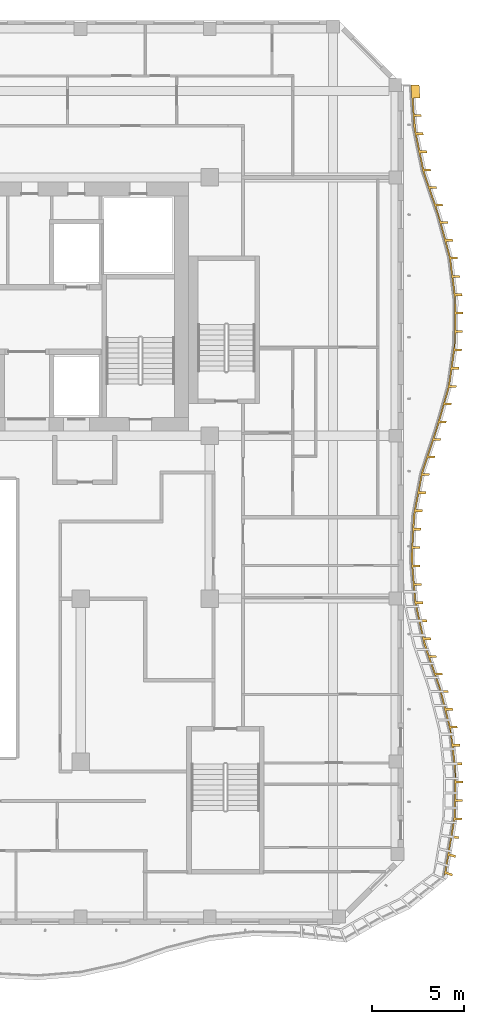
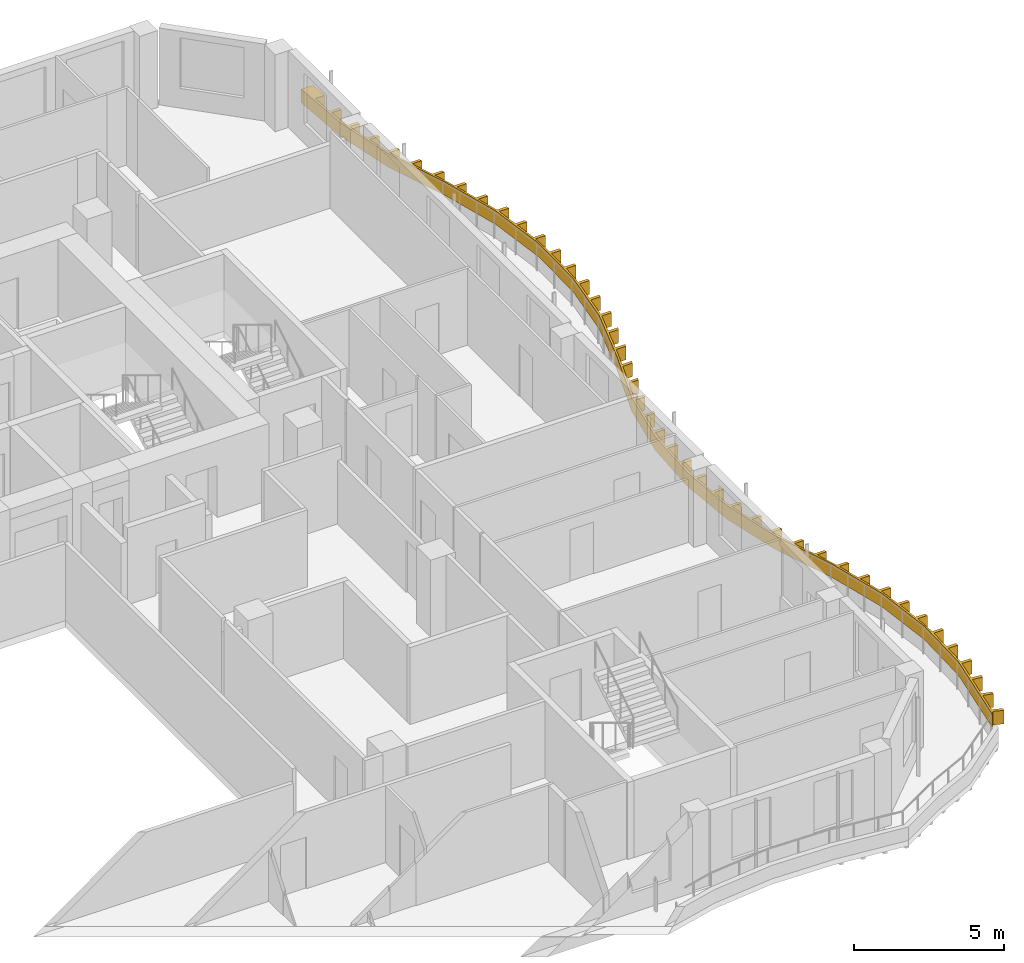
# One storey, part 18 of 19: 1 shading device.
"""IFC4 building model written with IfcOpenShell, lengths in metres."""

from ifc_helpers import new_model, si_unit, direction, frame, origin, place, context, subcontext, project, spatial, polyline, outline, extrude, source, transform, mapped, material, layer, layer_set, type_object, element, save


model = new_model("IFC4")

# Units and contexts
model_context = context("Model", 3, precision=1e-05, world=origin(), true_north=direction((0.0, 1.0)))
body_context = subcontext(model_context, "Body", "Model", "MODEL_VIEW")
ifc_project = project(units=[si_unit("LENGTHUNIT", "METRE"), si_unit("AREAUNIT", "SQUARE_METRE"), si_unit("VOLUMEUNIT", "CUBIC_METRE"), si_unit("PLANEANGLEUNIT", "RADIAN"), si_unit("MASSUNIT", "GRAM", prefix="KILO")], contexts=[model_context])

# Site, building, storey
site_placement = place(None, origin())
site = spatial("IfcSite", under=ifc_project, at=site_placement, CompositionType="ELEMENT")
building_placement = place(site_placement, origin())
building = spatial("IfcBuilding", under=site, at=building_placement, Name="Kilnfold Tower and Market Hall", CompositionType="ELEMENT")
storey_placement = place(building_placement, frame((0.0, 0.0, 252.60009765625)))
storey = spatial("IfcBuildingStorey", under=building, at=storey_placement, Name="L61", CompositionType="ELEMENT", Elevation=252.60009765625)

# Shading device
ifc_material = material(Name="Bronze anodised aluminium", Category="aluminium")
ifc_layer = layer(ifc_material, 0.550048828125)
ifc_layer_set = layer_set([ifc_layer], Name="Bronze anodised aluminium")
shading_device_type = type_object("IfcShadingDeviceType", Name="BRONZE SLAT FASCIA 550", PredefinedType="USERDEFINED", material=ifc_layer_set)
shared_shape = source(origin(), body_context, "Body", "SweptSolid", [
    extrude(outline(polyline([(32.1328125, -15.876220703125), (31.788818359375, -15.74267578125), (31.692138671875, -15.84912109375), (32.231201171875, -12.666748046875), (32.2822265625, -10.333251953125), (32.01806640625, -8.0), (31.424072265625, -5.666748046875), (30.60888671875, -3.333251953125), (30.093017578125, -1.0), (29.90185546875, 1.333251953125), (30.024658203125, 3.666748046875), (30.468505859375, 6.0), (31.248779296875, 8.333251953125), (31.91845703125, 10.666748046875), (32.251953125, 13.0), (32.268798828125, 15.333251953125), (31.97021484375, 17.666748046875), (31.338623046875, 20.0), (30.53662109375, 22.333251953125), (30.056884765625, 24.666748046875), (29.89990234375, 27.0), (30.35009765625, 27.0), (30.397216796875, 26.29736328125), (30.02734375, 26.29736328125), (30.08642578125, 25.419189453125), (30.456298828125, 25.419189453125), (30.46435546875, 25.299560546875), (30.094482421875, 25.299560546875), (30.1865234375, 24.426025390625), (30.556396484375, 24.426025390625), (30.58056640625, 24.30859375), (30.210693359375, 24.30859375), (30.387939453125, 23.446533203125), (30.7578125, 23.446533203125), (30.781982421875, 23.328857421875), (30.412109375, 23.328857421875), (30.589111328125, 22.467041015625), (30.959228515625, 22.467041015625), (30.9833984375, 22.349365234375), (30.61328125, 22.349365234375), (30.8974609375, 21.5166015625), (31.267333984375, 21.5166015625), (31.306396484375, 21.4033203125), (30.936279296875, 21.4033203125), (31.222412109375, 20.57080078125), (31.59228515625, 20.57080078125), (31.63134765625, 20.45751953125), (31.261474609375, 20.45751953125), (31.522216796875, 19.617431640625), (31.89208984375, 19.617431640625), (31.923583984375, 19.501708984375), (31.553466796875, 19.501708984375), (31.783447265625, 18.652099609375), (32.1533203125, 18.652099609375), (32.184814453125, 18.536376953125), (31.814697265625, 18.536376953125), (32.044677734375, 17.68701171875), (32.414794921875, 17.68701171875), (32.420166015625, 17.666748046875), (32.432861328125, 17.568603515625), (32.062744140625, 17.568603515625), (32.174560546875, 16.695556640625), (32.54443359375, 16.695556640625), (32.559814453125, 16.57666015625), (32.189697265625, 16.57666015625), (32.301513671875, 15.70361328125), (32.67138671875, 15.70361328125), (32.686767578125, 15.584716796875), (32.316650390625, 15.584716796875), (32.344482421875, 14.706787109375), (32.71435546875, 14.706787109375), (32.71337890625, 14.586669921875), (32.343505859375, 14.586669921875), (32.337158203125, 13.706787109375), (32.70703125, 13.706787109375), (32.706298828125, 13.5869140625), (32.336181640625, 13.5869140625), (32.29052734375, 12.709716796875), (32.660400390625, 12.709716796875), (32.6435546875, 12.5908203125), (32.2734375, 12.5908203125), (32.14892578125, 11.7197265625), (32.51904296875, 11.7197265625), (32.501953125, 11.60107421875), (32.132080078125, 11.60107421875), (32.00732421875, 10.72998046875), (32.37744140625, 10.72998046875), (32.368408203125, 10.666748046875), (32.352783203125, 10.61279296875), (31.98291015625, 10.61279296875), (31.740234375, 9.766845703125), (32.110107421875, 9.766845703125), (32.0771484375, 9.651611328125), (31.70703125, 9.651611328125), (31.46435546875, 8.8056640625), (31.83447265625, 8.8056640625), (31.80126953125, 8.690185546875), (31.431396484375, 8.690185546875), (31.16748046875, 7.850830078125), (31.53759765625, 7.850830078125), (31.49951171875, 7.737060546875), (31.12939453125, 7.737060546875), (30.850341796875, 6.902587890625), (31.220458984375, 6.902587890625), (31.182373046875, 6.788818359375), (30.8125, 6.788818359375), (30.53955078125, 5.952392578125), (30.90966796875, 5.952392578125), (30.88720703125, 5.834716796875), (30.51708984375, 5.834716796875), (30.352783203125, 4.97021484375), (30.72265625, 4.97021484375), (30.7001953125, 4.852294921875), (30.330078125, 4.852294921875), (30.165771484375, 3.98779296875), (30.535888671875, 3.98779296875), (30.513427734375, 3.869873046875), (30.143310546875, 3.869873046875), (30.0693359375, 2.994384765625), (30.439208984375, 2.994384765625), (30.43310546875, 2.87451171875), (30.06298828125, 2.87451171875), (30.0166015625, 1.995849609375), (30.38671875, 1.995849609375), (30.38037109375, 1.8759765625), (30.010498046875, 1.8759765625), (30.00927734375, 0.997802734375), (30.37939453125, 0.997802734375), (30.38916015625, 0.87841796875), (30.01904296875, 0.87841796875), (30.091064453125, 0.001220703125), (30.4609375, 0.001220703125), (30.470703125, -0.118408203125), (30.100830078125, -0.118408203125), (30.172607421875, -0.995361328125), (30.54248046875, -0.995361328125), (30.56787109375, -1.11279296875), (30.197998046875, -1.11279296875), (30.387939453125, -1.971923828125), (30.7578125, -1.971923828125), (30.783935546875, -2.089111328125), (30.413818359375, -2.089111328125), (30.60400390625, -2.9482421875), (30.973876953125, -2.9482421875), (30.999755859375, -3.0654296875), (30.6298828125, -3.0654296875), (30.888671875, -3.9052734375), (31.2587890625, -3.9052734375), (31.29833984375, -4.0185546875), (30.92822265625, -4.0185546875), (31.218505859375, -4.84912109375), (31.58837890625, -4.84912109375), (31.6279296875, -4.96240234375), (31.258056640625, -4.96240234375), (31.537109375, -5.796630859375), (31.906982421875, -5.796630859375), (31.936767578125, -5.9130859375), (31.566650390625, -5.9130859375), (31.78369140625, -6.765625), (32.15380859375, -6.765625), (32.183349609375, -6.882080078125), (31.8134765625, -6.882080078125), (32.030517578125, -7.73486328125), (32.400634765625, -7.73486328125), (32.43017578125, -7.85107421875), (32.060302734375, -7.85107421875), (32.1796875, -8.7216796875), (32.5498046875, -8.7216796875), (32.563232421875, -8.841064453125), (32.193359375, -8.841064453125), (32.292236328125, -9.71533203125), (32.662353515625, -9.71533203125), (32.67578125, -9.834716796875), (32.305908203125, -9.834716796875), (32.35400390625, -10.71142578125), (32.72412109375, -10.71142578125), (32.72119140625, -10.831298828125), (32.351318359375, -10.831298828125), (32.33203125, -11.711181640625), (32.7021484375, -11.711181640625), (32.699462890625, -11.8310546875), (32.32958984375, -11.8310546875), (32.303955078125, -12.709716796875), (32.673583984375, -12.71142578125), (32.65283203125, -12.833251953125), (32.28369140625, -12.826416015625), (32.13720703125, -13.681640625), (32.500244140625, -13.725830078125), (32.4794921875, -13.84765625), (32.1171875, -13.798095703125), (31.971923828125, -14.653564453125), (32.326904296875, -14.739990234375), (32.30615234375, -14.86181640625), (31.9521484375, -14.770263671875), (31.808349609375, -15.6259765625), (32.153564453125, -15.75439453125), (32.1328125, -15.876220703125)])), origin(), (0.0, 0.0, 1.0), 0.550048828125),
])
shading_device_placement = place(storey_placement, frame((0.0, 0.0, 0.5498046875)))
element("IfcShadingDevice", 1, at=shading_device_placement, inside=storey, type_object=shading_device_type, Name="Balcony slat fascia L61", ObjectType="SLAT", PredefinedType="USERDEFINED", context=body_context, shape_type="MappedRepresentation", body=[
    mapped(shared_shape, transform((0.0, 0.0, 0.0))),
])

save(model, "model.ifc")
